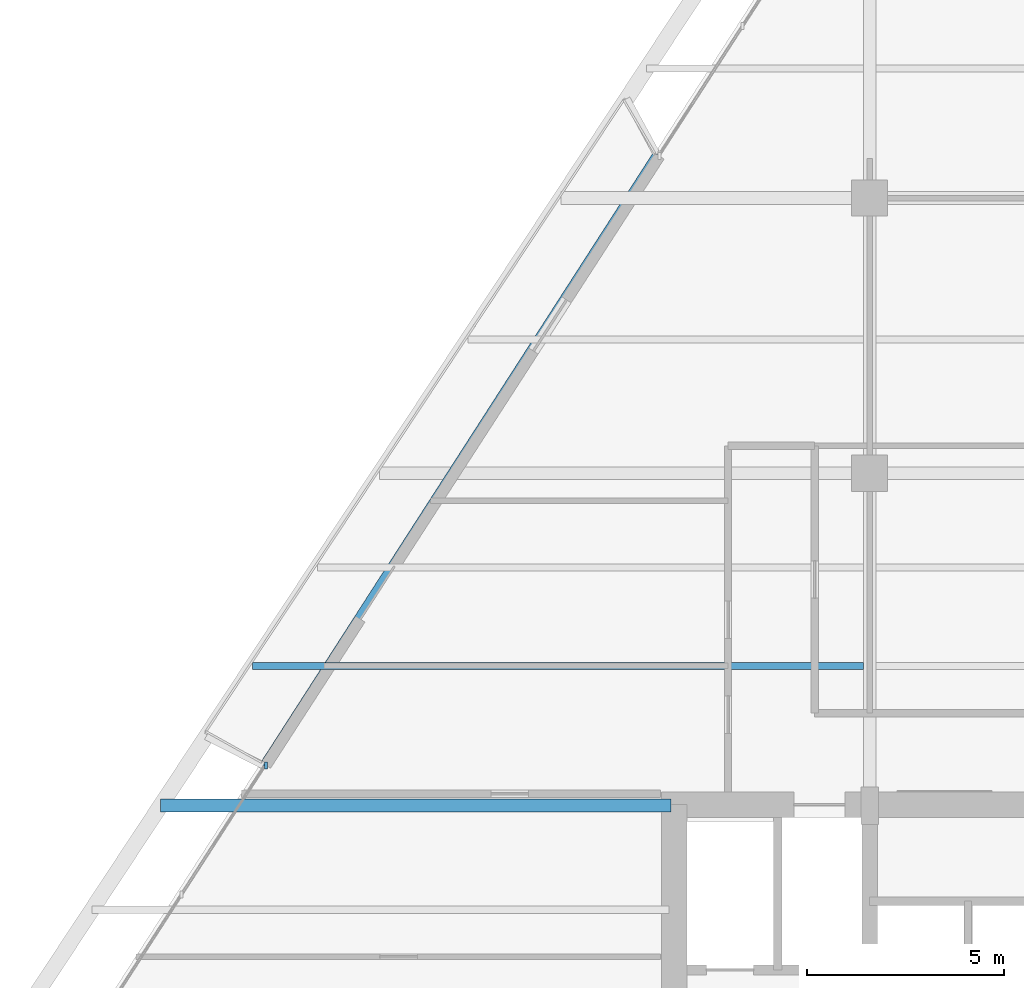
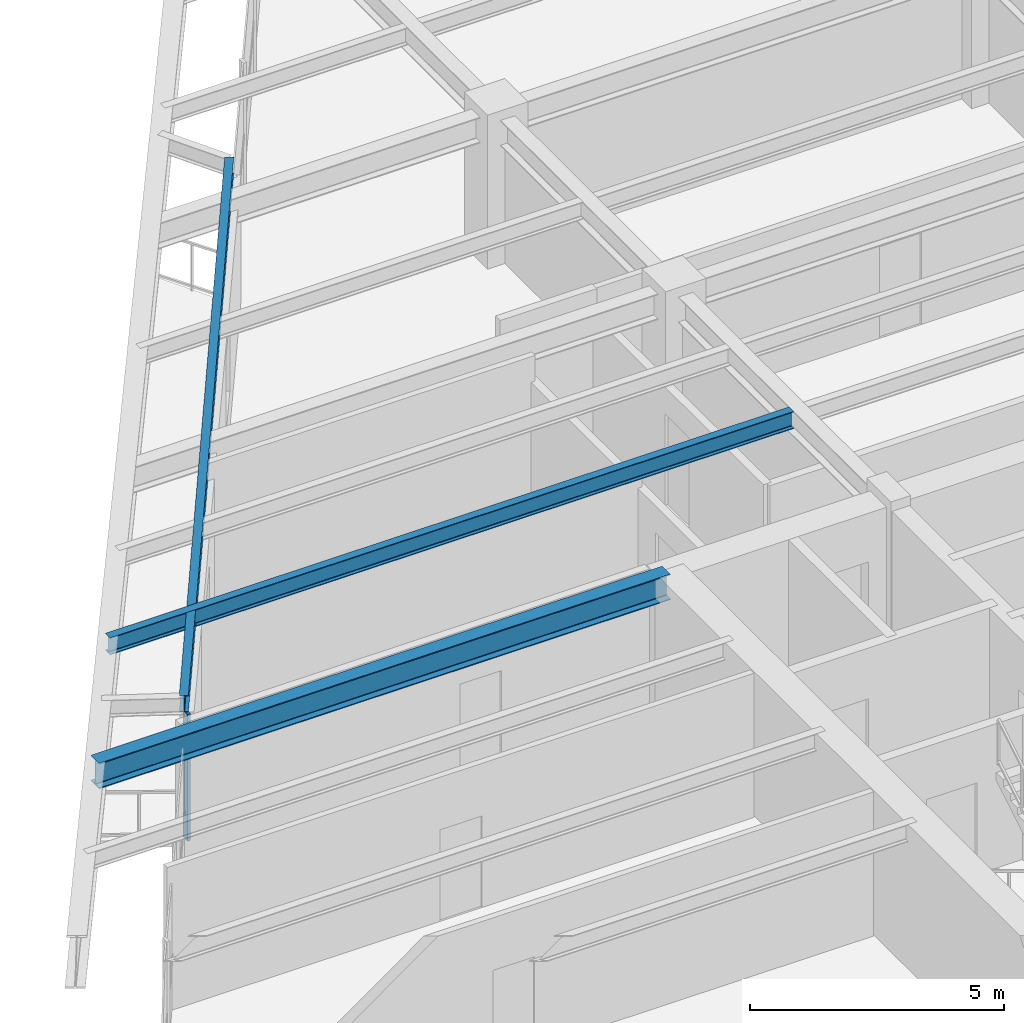
# One storey, part 4 of 15: 3 beams, 1 member, 1 element without a shape of its own.
"""IFC4 building model written with IfcOpenShell, lengths in metres."""

import ifcopenshell
import ifcopenshell.guid

model = None  # the IFC model being written
_history = None  # IfcOwnerHistory: only IFC2X3 demands one
_inside = {}  # id of a spatial element -> (the spatial element, [elements in it])
_under = {}  # id of a project, library or spatial element -> (it, [spatial elements below it])
_declared = {}  # id of a project -> (the project, [libraries it declares])
_typed = {}  # id of a type object -> (the type object, [elements of that type])
_made_of = {}  # id of a material, layer set ... -> (it, [elements and type objects made of it])


def new_model(schema):
    """Start an empty IFC model of exactly this schema.

    Asked for "IFC4X3", IfcOpenShell would pick the latest addendum, in which some entities
    have other attributes; the version numbers below select the first issue.
    IFC2X3 requires an IfcOwnerHistory on every rooted entity: one is made here for all.
    """
    global model, _history
    if schema == "IFC4X3":
        model = ifcopenshell.file(schema_version=(4, 3, 0, 0))
    else:
        model = ifcopenshell.file(schema=schema)
    _inside.clear()
    _under.clear()
    _declared.clear()
    _typed.clear()
    _made_of.clear()
    _history = None
    if model.schema == "IFC2X3":
        org = make("IfcOrganization", Name="unknown")
        user = make(
            "IfcPersonAndOrganization",
            ThePerson=make("IfcPerson", FamilyName="unknown"),
            TheOrganization=org,
        )
        app = make(
            "IfcApplication",
            ApplicationDeveloper=org,
            Version="unknown",
            ApplicationFullName="unknown",
            ApplicationIdentifier="unknown",
        )
        _history = make(
            "IfcOwnerHistory",
            OwningUser=user,
            OwningApplication=app,
            ChangeAction="ADDED",
            CreationDate=0,
        )
    return model


def make(cls, **values):
    """One entity of the class cls with the attributes given. An attribute that is None is left unset."""
    return model.create_entity(
        cls, **{name: value for name, value in values.items() if value is not None}
    )


def rooted(cls, **values):
    """An entity with a GlobalId (a new one), such as an element, a storey or a relation."""
    return make(cls, GlobalId=ifcopenshell.guid.new(), OwnerHistory=_history, **values)


def si_unit(unit_type, name, prefix=None):
    """IfcSIUnit, for example si_unit("LENGTHUNIT", "METRE", prefix="MILLI")."""
    return make("IfcSIUnit", UnitType=unit_type, Prefix=prefix, Name=name)


def assignment(units):
    """IfcUnitAssignment: the units of a project."""
    return None if units is None else make("IfcUnitAssignment", Units=units)


def point(xyz):
    """IfcCartesianPoint."""
    return None if xyz is None else make("IfcCartesianPoint", Coordinates=xyz)


def direction(xyz):
    """IfcDirection."""
    return None if xyz is None else make("IfcDirection", DirectionRatios=xyz)


def frame(location, z_axis=None, x_axis=None):
    """IfcAxis2Placement3D, a coordinate frame: its origin and axes. An axis left out is left unset."""
    return make(
        "IfcAxis2Placement3D",
        Location=point(location),
        Axis=direction(z_axis),
        RefDirection=direction(x_axis),
    )


def frame_2d(location, x_axis=None):
    """IfcAxis2Placement2D, a coordinate frame in the plane: its origin and x axis."""
    return make(
        "IfcAxis2Placement2D", Location=point(location), RefDirection=direction(x_axis)
    )


def origin():
    """The frame at (0, 0, 0) with its axes left unset."""
    return frame((0.0, 0.0, 0.0))


def origin_2d():
    """The frame at (0, 0) in the plane with its x axis left unset."""
    return frame_2d((0.0, 0.0))


def place(relative_to, where):
    """IfcLocalPlacement: puts the frame where relative to a parent placement (None: the world)."""
    return make(
        "IfcLocalPlacement", PlacementRelTo=relative_to, RelativePlacement=where
    )


def context(
    kind, dimensions, precision=None, world=None, true_north=None, identifier=None
):
    """IfcGeometricRepresentationContext, for example the 3D "Model" context."""
    return make(
        "IfcGeometricRepresentationContext",
        ContextIdentifier=identifier,
        ContextType=kind,
        CoordinateSpaceDimension=dimensions,
        Precision=precision,
        WorldCoordinateSystem=world,
        TrueNorth=true_north,
    )


def subcontext(parent, identifier, kind, view, scale=None):
    """IfcGeometricRepresentationSubContext, for example "Body" below "Model"."""
    return make(
        "IfcGeometricRepresentationSubContext",
        ContextIdentifier=identifier,
        ContextType=kind,
        ParentContext=parent,
        TargetScale=scale,
        TargetView=view,
    )


def project(units=None, contexts=None):
    """IfcProject with its units and contexts."""
    return rooted(
        "IfcProject",
        Name="project",
        RepresentationContexts=contexts,
        UnitsInContext=assignment(units),
    )


def spatial(cls, under=None, at=None, **own):
    """A site, building, storey or space (cls), placed at a placement, below another one or the project."""
    s = rooted(cls, ObjectPlacement=at, **own)
    if under is not None:
        _under.setdefault(under.id(), (under, []))[1].append(s)
    return s


def profile(cls, at=None, kind="AREA", **sizes):
    """A parametric profile (cls). Its sizes go by their IFC names, for example OverallWidth=200.0."""
    return make(cls, ProfileType=kind, Position=at, **sizes)


def rectangle(**sizes):
    """IfcRectangleProfileDef."""
    return profile("IfcRectangleProfileDef", **sizes)


def i_section(**sizes):
    """IfcIShapeProfileDef."""
    return profile("IfcIShapeProfileDef", **sizes)


def extrude(swept, where, along, depth):
    """IfcExtrudedAreaSolid: the profile swept, set in the frame where, extruded along a direction by depth."""
    return make(
        "IfcExtrudedAreaSolid",
        SweptArea=swept,
        Position=where,
        ExtrudedDirection=direction(along),
        Depth=depth,
    )


def shape(context_of_items, identifier, shape_type, items):
    """IfcShapeRepresentation: the items that make up one representation, for example the "Body"."""
    return make(
        "IfcShapeRepresentation",
        ContextOfItems=context_of_items,
        RepresentationIdentifier=identifier,
        RepresentationType=shape_type,
        Items=items,
    )


def source(mapping_origin, context_of_items, identifier, shape_type, items):
    """IfcRepresentationMap: a shape defined once, which mapped items show again and again."""
    return make(
        "IfcRepresentationMap",
        MappingOrigin=mapping_origin,
        MappedRepresentation=shape(context_of_items, identifier, shape_type, items),
    )


def transform(
    local_origin,
    x_axis=None,
    y_axis=None,
    z_axis=None,
    scale=None,
    scale2=None,
    scale3=None,
    uniform=True,
):
    """IfcCartesianTransformationOperator3D, or its non-uniform kind. x_axis, y_axis, z_axis: its Axis1, 2, 3."""
    if uniform:
        return make(
            "IfcCartesianTransformationOperator3D",
            Axis1=direction(x_axis),
            Axis2=direction(y_axis),
            LocalOrigin=point(local_origin),
            Scale=scale,
            Axis3=direction(z_axis),
        )
    return make(
        "IfcCartesianTransformationOperator3DnonUniform",
        Axis1=direction(x_axis),
        Axis2=direction(y_axis),
        LocalOrigin=point(local_origin),
        Scale=scale,
        Axis3=direction(z_axis),
        Scale2=scale2,
        Scale3=scale3,
    )


def mapped(mapping_source, mapping_target):
    """IfcMappedItem: shows the shape of a source again, moved by a transform."""
    return make(
        "IfcMappedItem", MappingSource=mapping_source, MappingTarget=mapping_target
    )


def material(Name=None, Category=None):
    """IfcMaterial."""
    return make("IfcMaterial", Name=Name, Category=Category)


def material_profile(
    of_material, cross_section, Name=None, Category=None, Priority=None
):
    """IfcMaterialProfile: a cross section and its material."""
    return make(
        "IfcMaterialProfile",
        Name=Name,
        Material=of_material,
        Profile=cross_section,
        Priority=Priority,
        Category=Category,
    )


def profile_set(profiles, Name=None, composite=None):
    """IfcMaterialProfileSet."""
    return make(
        "IfcMaterialProfileSet",
        Name=Name,
        MaterialProfiles=profiles,
        CompositeProfile=composite,
    )


def made_of(thing, what):
    """Note that an element or type object is made of a material, layer set ...; save() writes the relation."""
    if what is not None:
        _made_of.setdefault(what.id(), (what, []))[1].append(thing)
    return thing


def type_object(cls, material=None, **own):
    """A type object (cls), such as IfcWallType, which elements share."""
    return made_of(rooted(cls, **own), material)


def element(
    cls,
    number,
    at=None,
    inside=None,
    cuts=None,
    type_object=None,
    material=None,
    context=None,
    identifier="Body",
    shape_type=None,
    held_by="IfcProductDefinitionShape",
    body=None,
    shapes=None,
    **own,
):
    """One element of the class cls, such as IfcWall. Its Tag is "e" and its number.

    at: its placement. inside: the storey or other place that contains it. cuts: it is an
    opening in that element (IfcRelVoidsElement). A single representation is given by context,
    identifier, shape_type and body (its items); several are given by shapes. held_by: the class
    of the entity that holds the representations. save() writes the other relations.
    """
    e = rooted(cls, Tag="e%d" % number, ObjectPlacement=at, **own)
    if body is not None:
        shapes = [shape(context, identifier, shape_type, body)]
    if shapes is not None:
        e.Representation = make(held_by, Representations=shapes)
    if inside is not None:
        _inside.setdefault(inside.id(), (inside, []))[1].append(e)
    if cuts is not None:
        rooted(
            "IfcRelVoidsElement", RelatingBuildingElement=cuts, RelatedOpeningElement=e
        )
    if type_object is not None:
        _typed.setdefault(type_object.id(), (type_object, []))[1].append(e)
    return made_of(e, material)


def aggregate(whole, parts):
    """IfcRelAggregates: a whole, such as a stair, and the parts it consists of."""
    return rooted("IfcRelAggregates", RelatingObject=whole, RelatedObjects=parts)


def save(model, path):
    """Write the relations noted so far, then the file.

    IfcRelAggregates (storeys below a building ...), IfcRelContainedInSpatialStructure (elements
    in a storey), IfcRelDefinesByType, IfcRelAssociatesMaterial and IfcRelDeclares: one each for
    every whole, place, type object, material and project.
    """
    for whole, parts in _under.values():
        aggregate(whole, parts)
    for where, things in _inside.values():
        rooted(
            "IfcRelContainedInSpatialStructure",
            RelatedElements=things,
            RelatingStructure=where,
        )
    for kind, things in _typed.values():
        rooted("IfcRelDefinesByType", RelatedObjects=things, RelatingType=kind)
    for what, things in _made_of.values():
        rooted("IfcRelAssociatesMaterial", RelatedObjects=things, RelatingMaterial=what)
    for by, libraries in _declared.values():
        rooted("IfcRelDeclares", RelatingContext=by, RelatedDefinitions=libraries)
    model.write(path)


model = new_model("IFC4")

# Units and contexts
model_context = context("Model", 3, precision=1e-05, world=origin(), true_north=direction((0.0, 1.0)))
body_context = subcontext(model_context, "Body", "Model", "MODEL_VIEW")
ifc_project = project(units=[si_unit("LENGTHUNIT", "METRE"), si_unit("AREAUNIT", "SQUARE_METRE"), si_unit("VOLUMEUNIT", "CUBIC_METRE"), si_unit("PLANEANGLEUNIT", "RADIAN"), si_unit("MASSUNIT", "GRAM", prefix="KILO")], contexts=[model_context])

# Site, building, storey
site_placement = place(None, origin())
site = spatial("IfcSite", under=ifc_project, at=site_placement, CompositionType="ELEMENT")
building_placement = place(site_placement, origin())
building = spatial("IfcBuilding", under=site, at=building_placement, Name="Varnakhor Terracotta Tower", CompositionType="ELEMENT")
storey_placement = place(building_placement, frame((0.0, 0.0, 147.800048828125)))
storey = spatial("IfcBuildingStorey", under=building, at=storey_placement, Name="L37", CompositionType="ELEMENT", Elevation=147.800048828125)

# Beams
ifc_material_1 = material(Name="Steel S355", Category="steel")
ifc_material_profile_1 = material_profile(ifc_material_1, i_section(OverallWidth=0.179931640625, OverallDepth=0.39990234375, WebThickness=0.008544921875, FlangeThickness=0.013427734375, FilletRadius=0.01806640625, at=origin_2d()), Name="IPE400")
ifc_profile_set_1 = profile_set([ifc_material_profile_1], Name="Steel S355")
beam_type_1 = type_object("IfcBeamType", Name="JST-IPE400", PredefinedType="JOIST", material=ifc_profile_set_1)
shared_shape_1 = source(origin(), body_context, "Body", "SweptSolid", [
    extrude(i_section(OverallWidth=0.179931640625, OverallDepth=0.39990234375, WebThickness=0.008544921875, FlangeThickness=0.013427734375, FilletRadius=0.01806640625, at=origin_2d()), origin(), (0.0, 0.0, 1.0), 18.492919921875),
])
beam_1_placement = place(storey_placement, frame((-10.91845703125, 32.622802734375, 3.27001953125), z_axis=(-0.54120790021, -0.840888820683, 0.0), x_axis=(0.840888820683, -0.54120790021, 0.0)))
element("IfcBeam", 1, at=beam_1_placement, inside=storey, type_object=beam_type_1, Name="L37 Loggia Edge Beam 2", PredefinedType="JOIST", context=body_context, shape_type="MappedRepresentation", body=[
    mapped(shared_shape_1, transform((0.0, 0.0, 0.0), scale=1.0)),
])
ifc_material_profile_2 = material_profile(ifc_material_1, i_section(OverallWidth=0.324951171875, OverallDepth=0.615966796875, WebThickness=0.013916015625, FlangeThickness=0.02197265625, FilletRadius=0.01806640625, at=origin_2d()), Name="W24X117")
ifc_profile_set_2 = profile_set([ifc_material_profile_2], Name="Steel S355")
beam_type_2 = type_object("IfcBeamType", Name="BM-W24X117", PredefinedType="BEAM", material=ifc_profile_set_2)
shared_shape_2 = source(origin(), body_context, "Body", "SweptSolid", [
    extrude(i_section(OverallWidth=0.324951171875, OverallDepth=0.615966796875, WebThickness=0.013916015625, FlangeThickness=0.02197265625, FilletRadius=0.01806640625, at=origin_2d()), origin(), (0.0, 0.0, 1.0), 12.98291015625),
])
beam_2_placement = place(storey_placement, frame((-23.532958984375, 16.050048828125, 3.161865234375), z_axis=(1.0, 0.0, 0.0), x_axis=(0.0, 1.0, 0.0)))
element("IfcBeam", 2, at=beam_2_placement, inside=storey, type_object=beam_type_2, Name="L37 Wing Girder W", PredefinedType="BEAM", context=body_context, shape_type="MappedRepresentation", body=[
    mapped(shared_shape_2, transform((0.0, 0.0, 0.0), scale=1.0)),
])
ifc_material_profile_3 = material_profile(ifc_material_1, i_section(OverallWidth=0.179931640625, OverallDepth=0.4130859375, WebThickness=0.009765625, FlangeThickness=0.01611328125, FilletRadius=0.01806640625, at=origin_2d()), Name="W16X50")
ifc_profile_set_3 = profile_set([ifc_material_profile_3], Name="Steel S355")
beam_type_3 = type_object("IfcBeamType", Name="JST-W16X50", PredefinedType="JOIST", material=ifc_profile_set_3)
shared_shape_3 = source(origin(), body_context, "Body", "SweptSolid", [
    extrude(i_section(OverallWidth=0.179931640625, OverallDepth=0.4130859375, WebThickness=0.009765625, FlangeThickness=0.01611328125, FilletRadius=0.01806640625, at=origin_2d()), origin(), (0.0, 0.0, 1.0), 15.533935546875),
])
beam_3_placement = place(storey_placement, frame((-21.1923828125, 19.60009765625, 3.263427734375), z_axis=(1.0, 0.0, 0.0), x_axis=(0.0, 1.0, 0.0)))
element("IfcBeam", 3, at=beam_3_placement, inside=storey, type_object=beam_type_3, Name="L37 Composite Floor Joist 4-1", PredefinedType="JOIST", context=body_context, shape_type="MappedRepresentation", body=[
    mapped(shared_shape_3, transform((0.0, 0.0, 0.0), scale=1.0)),
])

# Curtain wall, member
ifc_material_2 = material(Name="Anodised Aluminium Curtain Wall System", Category="aluminium")
curtain_wall_type = type_object("IfcCurtainWallType", Name="CW-SYS-MID-OFFICE", PredefinedType="NOTDEFINED", material=ifc_material_2)
curtain_wall_placement = place(storey_placement, origin())
curtain_wall = element("IfcCurtainWall", 4, at=curtain_wall_placement, inside=storey, type_object=curtain_wall_type, Name="L37 W Facet Curtain Wall 1", PredefinedType="NOTDEFINED")
ifc_material_3 = material(Name="Anodised Aluminium 6063-T6", Category="aluminium")
ifc_material_profile_4 = material_profile(ifc_material_3, rectangle(XDim=0.070068359375, YDim=0.175048828125, at=origin_2d()), Name="ALU MULLION 70x175")
ifc_profile_set_4 = profile_set([ifc_material_profile_4], Name="Anodised Aluminium 6063-T6")
member_type = type_object("IfcMemberType", Name="CWM-03", PredefinedType="MULLION", material=ifc_profile_set_4)
shared_shape_4 = source(origin(), body_context, "Body", "SweptSolid", [
    extrude(rectangle(XDim=0.070068359375, YDim=0.175048828125, at=origin_2d()), origin(), (0.0, 0.0, 1.0), 3.050048828125),
])
member_placement = place(storey_placement, frame((-20.85498046875, 17.073974609375, 0.0), z_axis=(0.0, 0.0, 1.0), x_axis=(1.0, 0.0, 0.0)))
member = element("IfcMember", 5, at=member_placement, type_object=member_type, Name="L37 W Loggia Jamb Closure Mullion 1", PredefinedType="MULLION", context=body_context, shape_type="MappedRepresentation", body=[
    mapped(shared_shape_4, transform((0.0, 0.0, 0.0), scale=1.0)),
])
aggregate(curtain_wall, [member])

save(model, "model.ifc")
